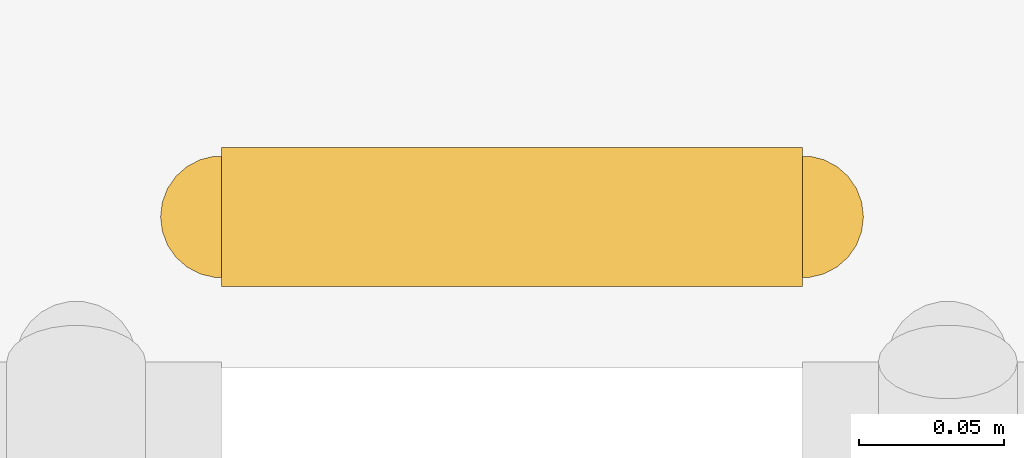
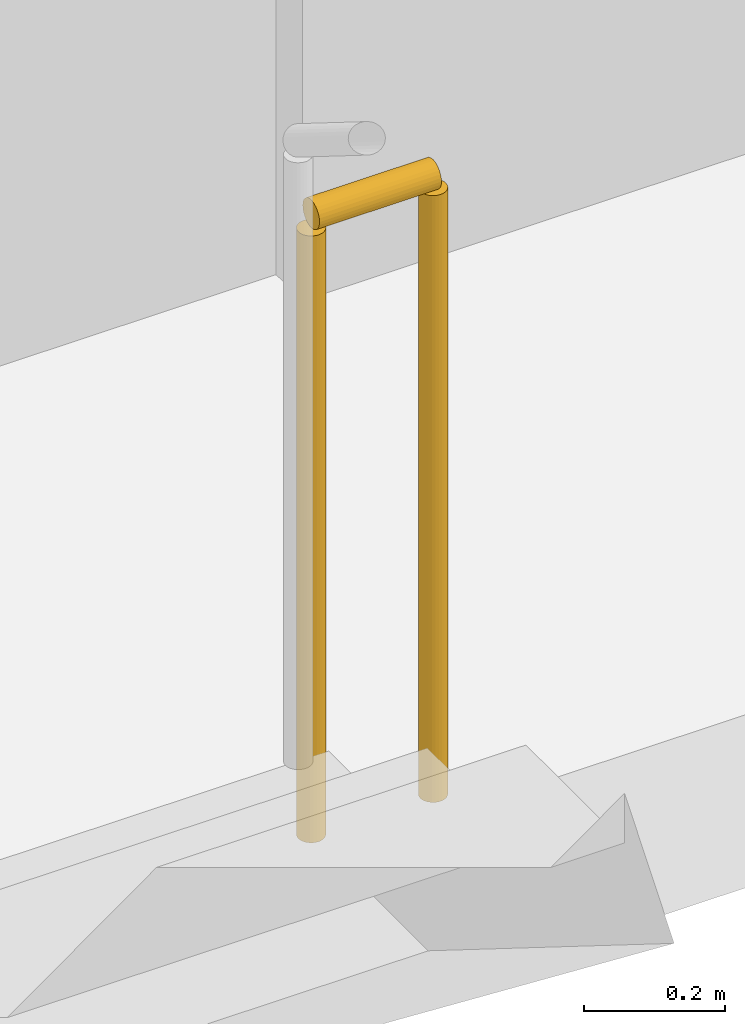
# One storey, part 20 of 22: 1 railing.
"""IFC4 building model written with IfcOpenShell, lengths in metres."""

from ifc_helpers import new_model, si_unit, direction, frame, origin, origin_2d, place, context, subcontext, project, spatial, circle, extrude, material, type_object, element, save


model = new_model("IFC4")

# Units and contexts
model_context = context("Model", 3, precision=1e-05, world=origin(), true_north=direction((0.0, 1.0)))
body_context = subcontext(model_context, "Body", "Model", "MODEL_VIEW")
ifc_project = project(units=[si_unit("LENGTHUNIT", "METRE"), si_unit("AREAUNIT", "SQUARE_METRE"), si_unit("VOLUMEUNIT", "CUBIC_METRE"), si_unit("PLANEANGLEUNIT", "RADIAN"), si_unit("MASSUNIT", "GRAM", prefix="KILO")], contexts=[model_context])

# Site, building, storey
site_placement = place(None, origin())
site = spatial("IfcSite", under=ifc_project, at=site_placement, CompositionType="ELEMENT")
building_placement = place(site_placement, origin())
building = spatial("IfcBuilding", under=site, at=building_placement, Name="Kiln Ring Residences", CompositionType="ELEMENT")
storey_placement = place(building_placement, frame((0.0, 0.0, 153.60009765625)))
storey = spatial("IfcBuildingStorey", under=building, at=storey_placement, Name="L39", CompositionType="ELEMENT", Elevation=153.60009765625)

# Railing
ifc_material = material(Name="Stainless steel", Category="steel")
railing_type = type_object("IfcRailingType", Name="CORE-STAIR-GUARD", PredefinedType="GUARDRAIL", material=ifc_material)
railing_placement = place(storey_placement, frame((-22.199951171875, 8.449951171875, 0.0)))
element("IfcRailing", 1, at=railing_placement, inside=storey, type_object=railing_type, Name="L39 W-STN stair guard 4", PredefinedType="GUARDRAIL", context=body_context, shape_type="SweptSolid", body=[
    extrude(circle(Radius=0.02392578125, at=origin_2d()), frame((0.0, 0.0, 1.076171875), z_axis=(1.0, 0.0, 0.0), x_axis=(0.0, 1.0, 0.0)), (0.0, 0.0, 1.0), 0.199951171875),
    extrude(circle(Radius=0.02099609375, at=origin_2d()), origin(), (0.0, 0.0, 1.0), 1.052001953125),
    extrude(circle(Radius=0.02099609375, at=origin_2d()), frame((0.199951171875, 0.0, 0.0)), (0.0, 0.0, 1.0), 1.052001953125),
])

save(model, "model.ifc")
